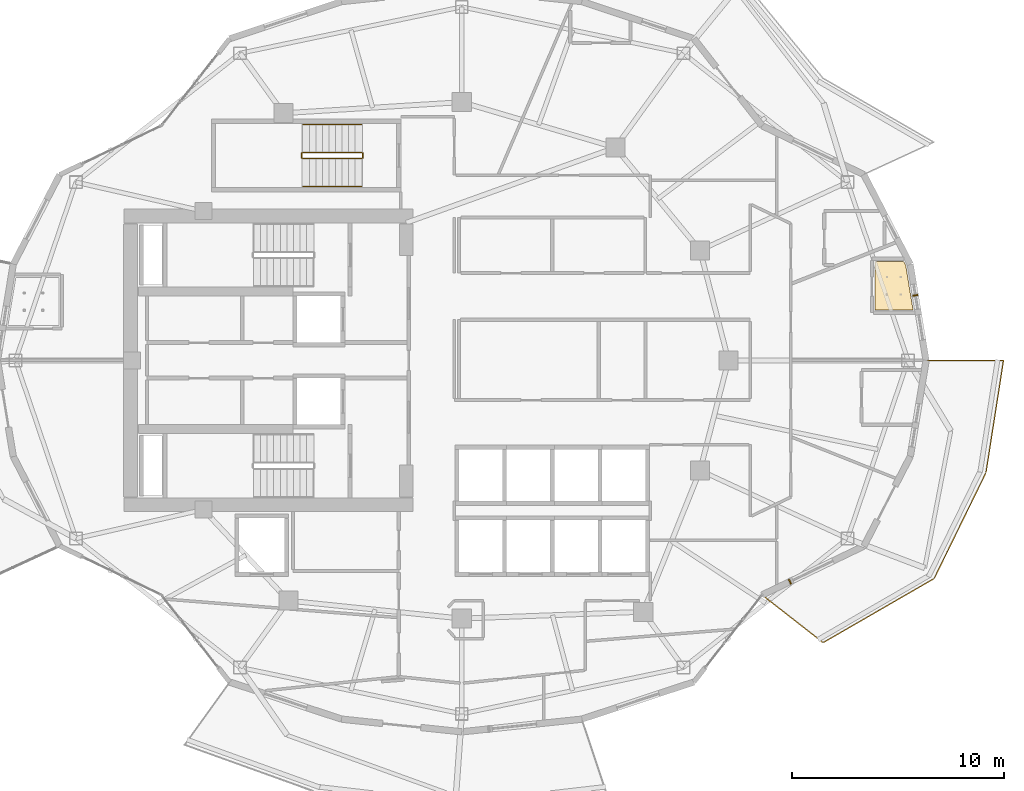
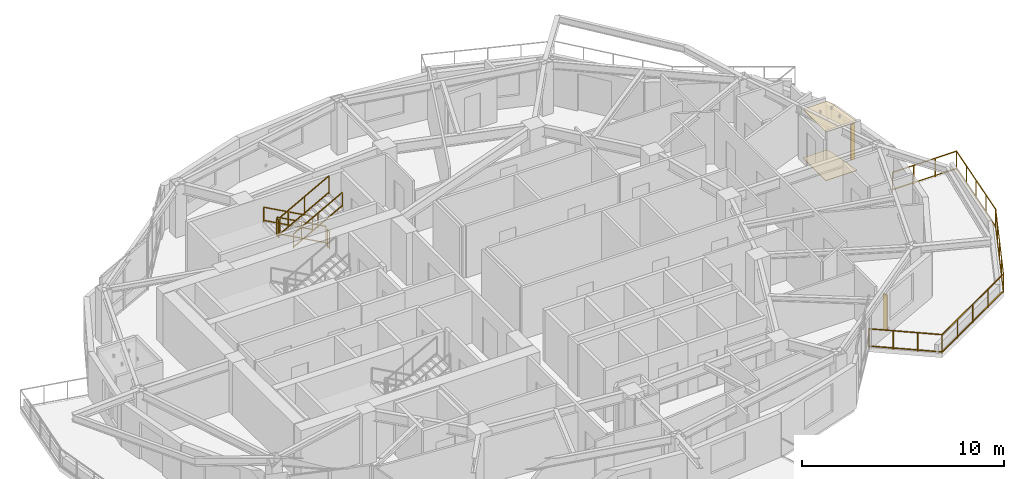
# One storey, part 18 of 19: 7 railings, 2 coverings, 2 shading devices.
"""IFC4 building model written with IfcOpenShell, lengths in metres."""

from ifc_helpers import new_model, si_unit, direction, frame, origin, origin_2d, place, context, subcontext, project, spatial, polyline, rectangle, outline, extrude, material, layer, layer_set, type_object, element, save


model = new_model("IFC4")

# Units and contexts
model_context = context("Model", 3, precision=1e-05, world=origin(), true_north=direction((0.0, 1.0)))
body_context = subcontext(model_context, "Body", "Model", "MODEL_VIEW")
ifc_project = project(units=[si_unit("LENGTHUNIT", "METRE"), si_unit("AREAUNIT", "SQUARE_METRE"), si_unit("VOLUMEUNIT", "CUBIC_METRE"), si_unit("PLANEANGLEUNIT", "RADIAN"), si_unit("MASSUNIT", "GRAM", prefix="KILO")], contexts=[model_context])

# Site, building, storey
site_placement = place(None, origin())
site = spatial("IfcSite", under=ifc_project, at=site_placement, CompositionType="ELEMENT")
building_placement = place(site_placement, origin())
building = spatial("IfcBuilding", under=site, at=building_placement, Name="Kolvaren Gate Tower and Convention Centre", CompositionType="ELEMENT")
storey_placement = place(building_placement, frame((0.0, 0.0, 163.10009765625)))
storey = spatial("IfcBuildingStorey", under=building, at=storey_placement, Name="L42", CompositionType="ELEMENT", Elevation=163.10009765625)

# Coverings
ifc_material_1 = material(Name="Perforated Mineral-Fibre Acoustic Ceiling Tile 18 mm", Category="gypsum")
ifc_layer_1 = layer(ifc_material_1, 0.01806640625)
ifc_layer_set_1 = layer_set([ifc_layer_1], Name="Perforated Mineral-Fibre Acoustic Ceiling Tile 18 mm")
covering_type_1 = type_object("IfcCoveringType", Name="ARCH-COV-CEIL-18", PredefinedType="CEILING", material=ifc_layer_set_1)
covering_1_placement = place(storey_placement, frame((0.0, 0.0, 2.949951171875)))
element("IfcCovering", 1, at=covering_1_placement, inside=storey, type_object=covering_type_1, Name="En-suite Bathroom (HTL-L42-10) Acoustic Suspended Ceiling", PredefinedType="CEILING", context=body_context, shape_type="SweptSolid", body=[
    extrude(outline(polyline([(49.639892578125, 29.389892578125), (49.639892578125, 31.659912109375), (51.006103515625, 31.659912109375), (51.10302734375, 31.471923828125), (51.446044921875, 29.389892578125), (49.639892578125, 29.389892578125)])), origin(), (0.0, 0.0, 1.0), 0.01806640625),
])
ifc_material_2 = material(Name="Honed Sabana Limestone Terrazzo Flooring 30 mm", Category="masonry")
ifc_layer_2 = layer(ifc_material_2, 0.030029296875)
ifc_layer_set_2 = layer_set([ifc_layer_2], Name="Honed Sabana Limestone Terrazzo Flooring 30 mm")
covering_type_2 = type_object("IfcCoveringType", Name="ARCH-COV-FLR-30", PredefinedType="FLOORING", material=ifc_layer_set_2)
covering_2_placement = place(storey_placement, origin())
element("IfcCovering", 2, at=covering_2_placement, inside=storey, type_object=covering_type_2, Name="En-suite Bathroom (HTL-L42-10) Interior Finish Flooring", PredefinedType="FLOORING", context=body_context, shape_type="SweptSolid", body=[
    extrude(outline(polyline([(49.639892578125, 29.389892578125), (49.639892578125, 31.659912109375), (51.006103515625, 31.659912109375), (51.10302734375, 31.471923828125), (51.446044921875, 29.389892578125), (49.639892578125, 29.389892578125)])), origin(), (0.0, 0.0, 1.0), 0.02978515625),
])

# Railings
ifc_material_3 = material(Name="Brushed Stainless Steel Grade 316L", Category="steel")
railing_type_1 = type_object("IfcRailingType", Name="ARCH-RL-GUARD-1150", PredefinedType="GUARDRAIL", material=ifc_material_3)
railing_1_placement = place(storey_placement, frame((25.39990234375, 36.830078125, 0.169921875)))
element("IfcRailing", 3, at=railing_1_placement, inside=storey, type_object=railing_type_1, Name="L42 ST-T3 stair guard 1", PredefinedType="GUARDRAIL", context=body_context, shape_type="SweptSolid", body=[
    extrude(rectangle(XDim=0.048095703125, YDim=0.048095703125, at=origin_2d()), frame((0.0, 0.0, 1.076171875), z_axis=(-0.8767936245, 0.0, 0.480866863109), x_axis=(0.0, -1.0, 0.0)), (0.0, 0.0, 1.0), 3.181884765625),
    extrude(rectangle(XDim=0.048095703125, YDim=0.048095703125, at=origin_2d()), frame((0.0, 0.0, 0.083984375), z_axis=(-0.8767936245, 0.0, 0.480866863109), x_axis=(0.0, -1.0, 0.0)), (0.0, 0.0, 1.0), 3.181884765625),
    extrude(rectangle(XDim=0.0419921875, YDim=0.0419921875, at=origin_2d()), origin(), (0.0, 0.0, 1.0), 1.050048828125),
    extrude(rectangle(XDim=0.0419921875, YDim=0.0419921875, at=origin_2d()), frame((-2.789794921875, 0.0, 1.530029296875)), (0.0, 0.0, 1.0), 1.050048828125),
    extrude(rectangle(XDim=0.0419921875, YDim=0.0419921875, at=origin_2d()), frame((-1.39501953125, 0.0, 0.76513671875)), (0.0, 0.0, 1.0), 1.050048828125),
])
railing_2_placement = place(storey_placement, frame((22.56005859375, 36.780029296875, 1.699951171875)))
element("IfcRailing", 4, at=railing_2_placement, inside=storey, type_object=railing_type_1, Name="L42 ST-T3 stair guard 2", PredefinedType="GUARDRAIL", context=body_context, shape_type="SweptSolid", body=[
    extrude(rectangle(XDim=0.048095703125, YDim=0.048095703125, at=origin_2d()), frame((0.0, 0.0, 1.076171875), z_axis=(0.0, -1.0, 0.0), x_axis=(1.0, 0.0, 0.0)), (0.0, 0.0, 1.0), 0.199951171875),
    extrude(rectangle(XDim=0.048095703125, YDim=0.048095703125, at=origin_2d()), frame((0.0, 0.0, 0.083984375), z_axis=(0.0, -1.0, 0.0), x_axis=(1.0, 0.0, 0.0)), (0.0, 0.0, 1.0), 0.199951171875),
    extrude(rectangle(XDim=0.0419921875, YDim=0.0419921875, at=origin_2d()), origin(), (0.0, 0.0, 1.0), 1.050048828125),
    extrude(rectangle(XDim=0.0419921875, YDim=0.0419921875, at=origin_2d()), frame((0.0, -0.199951171875, 0.0)), (0.0, 0.0, 1.0), 1.050048828125),
])
railing_3_placement = place(storey_placement, frame((22.610107421875, 36.530029296875, 1.869873046875)))
element("IfcRailing", 5, at=railing_3_placement, inside=storey, type_object=railing_type_1, Name="L42 ST-T3 stair guard 3", PredefinedType="GUARDRAIL", context=body_context, shape_type="SweptSolid", body=[
    extrude(rectangle(XDim=0.048095703125, YDim=0.048095703125, at=origin_2d()), frame((0.0, 0.0, 1.076171875), z_axis=(0.8767936245, 0.0, 0.480866863109), x_axis=(0.0, 1.0, 0.0)), (0.0, 0.0, 1.0), 3.181884765625),
    extrude(rectangle(XDim=0.048095703125, YDim=0.048095703125, at=origin_2d()), frame((0.0, 0.0, 0.083984375), z_axis=(0.8767936245, 0.0, 0.480866863109), x_axis=(0.0, 1.0, 0.0)), (0.0, 0.0, 1.0), 3.181884765625),
    extrude(rectangle(XDim=0.0419921875, YDim=0.0419921875, at=origin_2d()), origin(), (0.0, 0.0, 1.0), 1.050048828125),
    extrude(rectangle(XDim=0.0419921875, YDim=0.0419921875, at=origin_2d()), frame((2.789794921875, 0.0, 1.530029296875)), (0.0, 0.0, 1.0), 1.050048828125),
    extrude(rectangle(XDim=0.0419921875, YDim=0.0419921875, at=origin_2d()), frame((1.39501953125, 0.0, 0.76513671875)), (0.0, 0.0, 1.0), 1.050048828125),
])
railing_4_placement = place(storey_placement, frame((25.449951171875, 36.780029296875, 0.0)))
element("IfcRailing", 6, at=railing_4_placement, inside=storey, type_object=railing_type_1, Name="L42 ST-T3 stair guard 4", PredefinedType="GUARDRAIL", context=body_context, shape_type="SweptSolid", body=[
    extrude(rectangle(XDim=0.048095703125, YDim=0.048095703125, at=origin_2d()), frame((0.0, 0.0, 1.076171875), z_axis=(0.0, -1.0, 0.0), x_axis=(1.0, 0.0, 0.0)), (0.0, 0.0, 1.0), 0.199951171875),
    extrude(rectangle(XDim=0.048095703125, YDim=0.048095703125, at=origin_2d()), frame((0.0, 0.0, 0.083984375), z_axis=(0.0, -1.0, 0.0), x_axis=(1.0, 0.0, 0.0)), (0.0, 0.0, 1.0), 0.199951171875),
    extrude(rectangle(XDim=0.0419921875, YDim=0.0419921875, at=origin_2d()), origin(), (0.0, 0.0, 1.0), 1.050048828125),
    extrude(rectangle(XDim=0.0419921875, YDim=0.0419921875, at=origin_2d()), frame((0.0, -0.199951171875, 0.0)), (0.0, 0.0, 1.0), 1.050048828125),
])
railing_5_placement = place(storey_placement, frame((44.3134765625, 15.9140625, 0.0)))
element("IfcRailing", 7, at=railing_5_placement, inside=storey, type_object=railing_type_1, Name="Tower L42 Terrace Perimeter Guardrail GR-4", PredefinedType="GUARDRAIL", context=body_context, shape_type="SweptSolid", body=[
    extrude(rectangle(XDim=0.048095703125, YDim=0.048095703125, at=origin_2d()), frame((0.022216796875, -0.017333984375, 1.1259765625), z_axis=(0.787988976981, -0.61568934712, 0.0), x_axis=(0.61568934712, 0.787988976981, 0.0)), (0.0, 0.0, 1.0), 3.60400390625),
    extrude(rectangle(XDim=0.048095703125, YDim=0.048095703125, at=origin_2d()), frame((0.022216796875, -0.017333984375, 0.083984375), z_axis=(0.787988976981, -0.61568934712, 0.0), x_axis=(0.61568934712, 0.787988976981, 0.0)), (0.0, 0.0, 1.0), 3.60400390625),
    extrude(rectangle(XDim=0.048095703125, YDim=0.048095703125, at=origin_2d()), frame((2.908203125, -2.239501953125, 1.1259765625), z_axis=(0.866075571306, 0.499913097234, 0.0), x_axis=(-0.499913097234, 0.866075571306, 0.0)), (0.0, 0.0, 1.0), 6.004150390625),
    extrude(rectangle(XDim=0.048095703125, YDim=0.048095703125, at=origin_2d()), frame((2.908203125, -2.239501953125, 0.083984375), z_axis=(0.866075571306, 0.499913097234, 0.0), x_axis=(-0.499913097234, 0.866075571306, 0.0)), (0.0, 0.0, 1.0), 6.004150390625),
    extrude(rectangle(XDim=0.048095703125, YDim=0.048095703125, at=origin_2d()), frame((8.14501953125, 0.80126953125, 1.1259765625), z_axis=(0.439655234701, 0.898166618507, 0.0), x_axis=(-0.898166618507, 0.439655234701, 0.0)), (0.0, 0.0, 1.0), 5.51123046875),
    extrude(rectangle(XDim=0.048095703125, YDim=0.048095703125, at=origin_2d()), frame((8.14501953125, 0.80126953125, 0.083984375), z_axis=(0.439655234701, 0.898166618507, 0.0), x_axis=(-0.898166618507, 0.439655234701, 0.0)), (0.0, 0.0, 1.0), 5.51123046875),
    extrude(rectangle(XDim=0.048095703125, YDim=0.048095703125, at=origin_2d()), frame((10.584716796875, 5.804443359375, 1.1259765625), z_axis=(0.154200861408, 0.988039520637, 0.0), x_axis=(-0.988039520637, 0.154200861408, 0.0)), (0.0, 0.0, 1.0), 5.3173828125),
    extrude(rectangle(XDim=0.048095703125, YDim=0.048095703125, at=origin_2d()), frame((10.584716796875, 5.804443359375, 0.083984375), z_axis=(0.154200861408, 0.988039520637, 0.0), x_axis=(-0.988039520637, 0.154200861408, 0.0)), (0.0, 0.0, 1.0), 5.3173828125),
    extrude(rectangle(XDim=0.048095703125, YDim=0.048095703125, at=origin_2d()), frame((11.380859375, 11.0859375, 1.1259765625), z_axis=(-1.0, 0.0, 0.0), x_axis=(0.0, -1.0, 0.0)), (0.0, 0.0, 1.0), 3.603759765625),
    extrude(rectangle(XDim=0.048095703125, YDim=0.048095703125, at=origin_2d()), frame((11.380859375, 11.0859375, 0.083984375), z_axis=(-1.0, 0.0, 0.0), x_axis=(0.0, -1.0, 0.0)), (0.0, 0.0, 1.0), 3.603759765625),
    extrude(rectangle(XDim=0.0419921875, YDim=0.0419921875, at=origin_2d()), origin(), (0.0, 0.0, 1.0), 1.14990234375),
    extrude(rectangle(XDim=0.0419921875, YDim=0.0419921875, at=origin_2d()), frame((2.884033203125, -2.25341796875, 0.0)), (0.0, 0.0, 1.0), 1.14990234375),
    extrude(rectangle(XDim=0.0419921875, YDim=0.0419921875, at=origin_2d()), frame((0.96142578125, -0.751220703125, 0.0)), (0.0, 0.0, 1.0), 1.099853515625),
    extrude(rectangle(XDim=0.0419921875, YDim=0.0419921875, at=origin_2d()), frame((1.922607421875, -1.502197265625, 0.0)), (0.0, 0.0, 1.0), 1.099853515625),
    extrude(rectangle(XDim=0.0419921875, YDim=0.0419921875, at=origin_2d()), frame((8.132568359375, 0.776123046875, 0.0)), (0.0, 0.0, 1.0), 1.14990234375),
    extrude(rectangle(XDim=0.0419921875, YDim=0.0419921875, at=origin_2d()), frame((4.1962890625, -1.49609375, 0.0)), (0.0, 0.0, 1.0), 1.099853515625),
    extrude(rectangle(XDim=0.0419921875, YDim=0.0419921875, at=origin_2d()), frame((5.50830078125, -0.73876953125, 0.0)), (0.0, 0.0, 1.0), 1.099853515625),
    extrude(rectangle(XDim=0.0419921875, YDim=0.0419921875, at=origin_2d()), frame((6.8203125, 0.018798828125, 0.0)), (0.0, 0.0, 1.0), 1.099853515625),
    extrude(rectangle(XDim=0.0419921875, YDim=0.0419921875, at=origin_2d()), frame((10.580322265625, 5.776611328125, 0.0)), (0.0, 0.0, 1.0), 1.14990234375),
    extrude(rectangle(XDim=0.0419921875, YDim=0.0419921875, at=origin_2d()), frame((8.74462890625, 2.0263671875, 0.0)), (0.0, 0.0, 1.0), 1.099853515625),
    extrude(rectangle(XDim=0.0419921875, YDim=0.0419921875, at=origin_2d()), frame((9.3564453125, 3.2763671875, 0.0)), (0.0, 0.0, 1.0), 1.099853515625),
    extrude(rectangle(XDim=0.0419921875, YDim=0.0419921875, at=origin_2d()), frame((9.96826171875, 4.5263671875, 0.0)), (0.0, 0.0, 1.0), 1.099853515625),
    extrude(rectangle(XDim=0.0419921875, YDim=0.0419921875, at=origin_2d()), frame((11.408935546875, 11.0859375, 0.0)), (0.0, 0.0, 1.0), 1.14990234375),
    extrude(rectangle(XDim=0.0419921875, YDim=0.0419921875, at=origin_2d()), frame((10.78759765625, 7.10400390625, 0.0)), (0.0, 0.0, 1.0), 1.099853515625),
    extrude(rectangle(XDim=0.0419921875, YDim=0.0419921875, at=origin_2d()), frame((10.99462890625, 8.43115234375, 0.0)), (0.0, 0.0, 1.0), 1.099853515625),
    extrude(rectangle(XDim=0.0419921875, YDim=0.0419921875, at=origin_2d()), frame((11.20166015625, 9.758544921875, 0.0)), (0.0, 0.0, 1.0), 1.099853515625),
    extrude(rectangle(XDim=0.0419921875, YDim=0.0419921875, at=origin_2d()), frame((7.7490234375, 11.0859375, 0.0)), (0.0, 0.0, 1.0), 1.14990234375),
    extrude(rectangle(XDim=0.0419921875, YDim=0.0419921875, at=origin_2d()), frame((10.18896484375, 11.0859375, 0.0)), (0.0, 0.0, 1.0), 1.099853515625),
    extrude(rectangle(XDim=0.0419921875, YDim=0.0419921875, at=origin_2d()), frame((8.968994140625, 11.0859375, 0.0)), (0.0, 0.0, 1.0), 1.099853515625),
])
railing_type_2 = type_object("IfcRailingType", Name="ARCH-RL-HANDRAIL-920", PredefinedType="HANDRAIL", material=ifc_material_3)
railing_6_placement = place(storey_placement, frame((25.39990234375, 38.14990234375, 0.169921875)))
element("IfcRailing", 8, at=railing_6_placement, inside=storey, type_object=railing_type_2, Name="L42 ST-T3 stair handrail 1", PredefinedType="HANDRAIL", context=body_context, shape_type="SweptSolid", body=[
    extrude(rectangle(XDim=0.048095703125, YDim=0.048095703125, at=origin_2d()), frame((0.0, 0.0, 0.8759765625), z_axis=(-0.8767936245, 0.0, 0.480866863109), x_axis=(0.0, -1.0, 0.0)), (0.0, 0.0, 1.0), 3.181884765625),
    extrude(rectangle(XDim=0.048095703125, YDim=0.048095703125, at=origin_2d()), frame((0.0, 0.0, 0.083984375), z_axis=(-0.8767936245, 0.0, 0.480866863109), x_axis=(0.0, -1.0, 0.0)), (0.0, 0.0, 1.0), 3.181884765625),
    extrude(rectangle(XDim=0.0419921875, YDim=0.0419921875, at=origin_2d()), origin(), (0.0, 0.0, 1.0), 0.849853515625),
    extrude(rectangle(XDim=0.0419921875, YDim=0.0419921875, at=origin_2d()), frame((-2.789794921875, 0.0, 1.530029296875)), (0.0, 0.0, 1.0), 0.849853515625),
    extrude(rectangle(XDim=0.0419921875, YDim=0.0419921875, at=origin_2d()), frame((-1.39501953125, 0.0, 0.76513671875)), (0.0, 0.0, 1.0), 0.849853515625),
])
railing_7_placement = place(storey_placement, frame((22.610107421875, 35.2099609375, 1.869873046875)))
element("IfcRailing", 9, at=railing_7_placement, inside=storey, type_object=railing_type_2, Name="L42 ST-T3 stair handrail 2", PredefinedType="HANDRAIL", context=body_context, shape_type="SweptSolid", body=[
    extrude(rectangle(XDim=0.048095703125, YDim=0.048095703125, at=origin_2d()), frame((0.0, 0.0, 0.8759765625), z_axis=(0.8767936245, 0.0, 0.480866863109), x_axis=(0.0, 1.0, 0.0)), (0.0, 0.0, 1.0), 3.181884765625),
    extrude(rectangle(XDim=0.048095703125, YDim=0.048095703125, at=origin_2d()), frame((0.0, 0.0, 0.083984375), z_axis=(0.8767936245, 0.0, 0.480866863109), x_axis=(0.0, 1.0, 0.0)), (0.0, 0.0, 1.0), 3.181884765625),
    extrude(rectangle(XDim=0.0419921875, YDim=0.0419921875, at=origin_2d()), origin(), (0.0, 0.0, 1.0), 0.849853515625),
    extrude(rectangle(XDim=0.0419921875, YDim=0.0419921875, at=origin_2d()), frame((2.789794921875, 0.0, 1.530029296875)), (0.0, 0.0, 1.0), 0.849853515625),
    extrude(rectangle(XDim=0.0419921875, YDim=0.0419921875, at=origin_2d()), frame((1.39501953125, 0.0, 0.76513671875)), (0.0, 0.0, 1.0), 0.849853515625),
])

# Shading devices
ifc_material_4 = material(Name="Kiln-Fired Bogota Terracotta Ceramic Louvre Profile", Category="masonry")
shading_device_type = type_object("IfcShadingDeviceType", Name="ARCH-SHD-FIN-180", PredefinedType="JALOUSIE", material=ifc_material_4)
for number, where, z_axis, x_axis, name in (
    (10, (51.556884765625, 30.072021484375, 0.219970703125), (0.0, 0.0, 1.0), (0.162380568014, -0.986728205298, 0.0), "Ceramic Vertical Brise-Soleil Fin FN-L42-00"),
    (11, (45.627685546875, 16.54541015625, 0.219970703125), (0.0, 0.0, 1.0), (0.901358389955, 0.433073957723, 0.0), "Ceramic Vertical Brise-Soleil Fin FN-L42-21"),
):
    element("IfcShadingDevice", number, at=place(storey_placement, frame(where, z_axis=z_axis, x_axis=x_axis)), inside=storey, type_object=shading_device_type, Name=name, PredefinedType="JALOUSIE", context=body_context, shape_type="SweptSolid", body=[
        extrude(rectangle(XDim=0.06005859375, YDim=0.239990234375, at=origin_2d()), origin(), (0.0, 0.0, 1.0), 2.14990234375),
    ])

save(model, "model.ifc")
